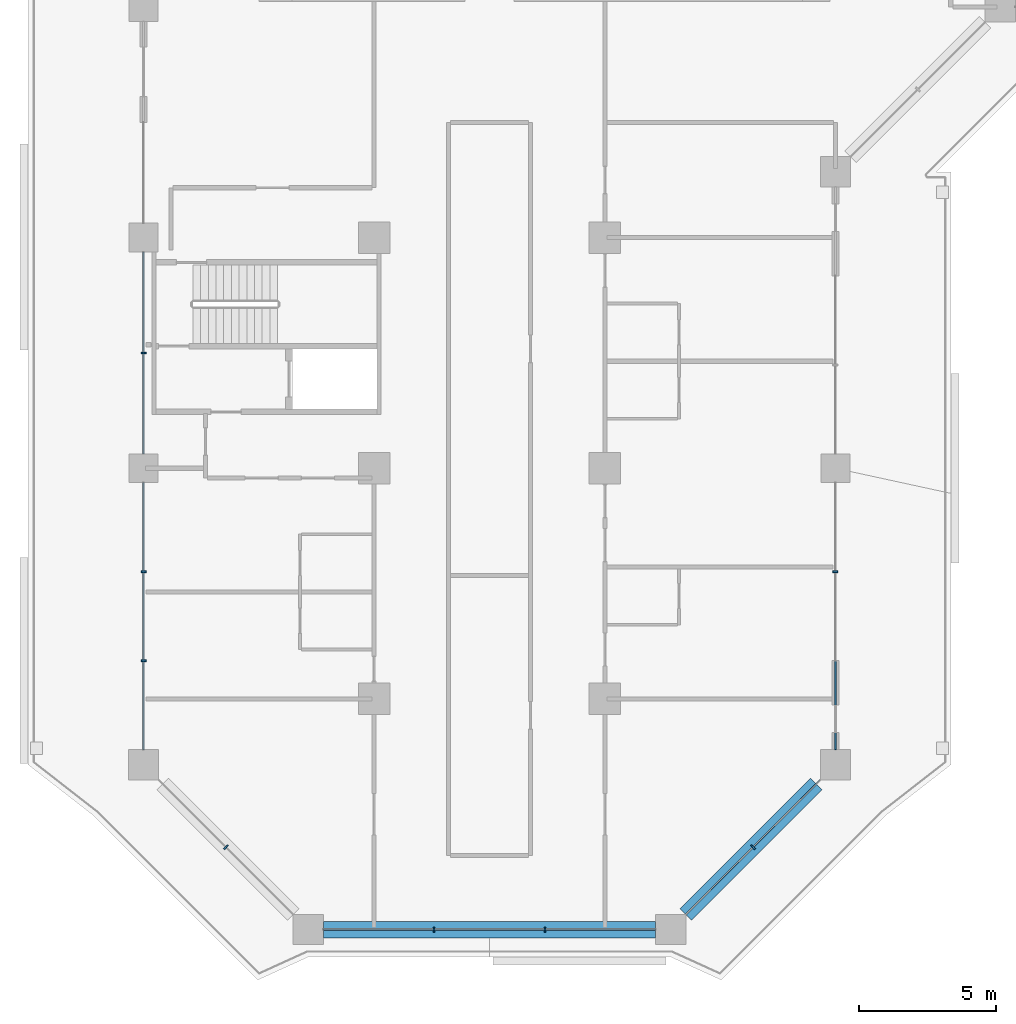
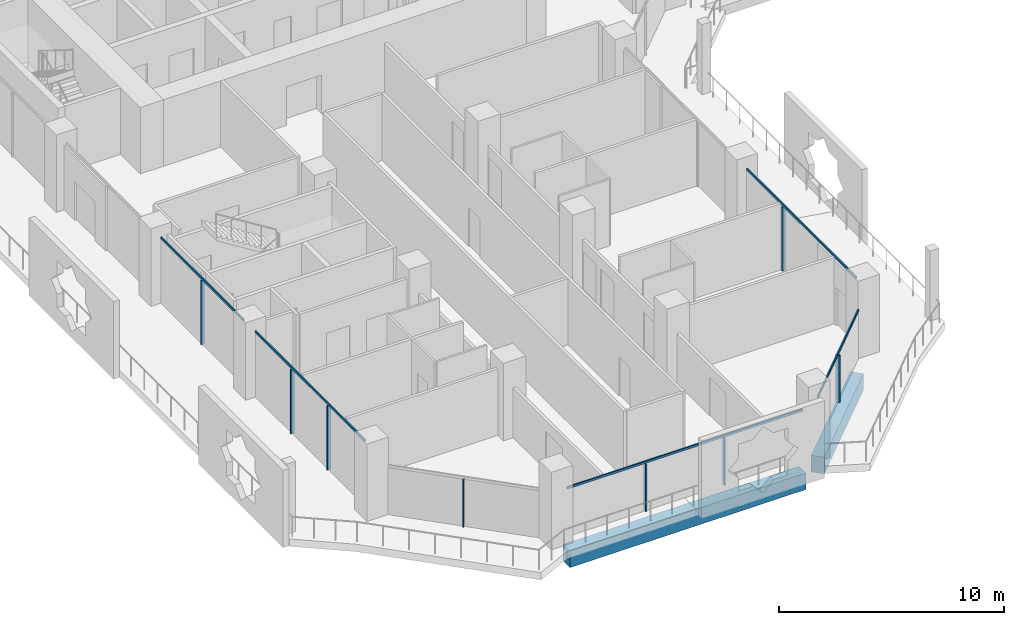
# One storey, part 2 of 25: 13 members, 2 beams, 5 elements without a shape of their own.
"""IFC4 building model written with IfcOpenShell, lengths in metres."""

from ifc_helpers import new_model, si_unit, direction, frame, origin, origin_2d, place, context, subcontext, project, spatial, rectangle, extrude, material, layer, layer_set, material_profile, profile_set, type_object, element, aggregate, save


model = new_model("IFC4")

# Units and contexts
model_context = context("Model", 3, precision=1e-05, world=origin(), true_north=direction((0.0, 1.0)))
body_context = subcontext(model_context, "Body", "Model", "MODEL_VIEW")
ifc_project = project(units=[si_unit("LENGTHUNIT", "METRE"), si_unit("AREAUNIT", "SQUARE_METRE"), si_unit("VOLUMEUNIT", "CUBIC_METRE"), si_unit("PLANEANGLEUNIT", "RADIAN"), si_unit("MASSUNIT", "GRAM", prefix="KILO")], contexts=[model_context])

# Site, building, storey
site_placement = place(None, origin())
site = spatial("IfcSite", under=ifc_project, at=site_placement, CompositionType="ELEMENT")
building_placement = place(site_placement, origin())
building = spatial("IfcBuilding", under=site, at=building_placement, Name="Kawkab Arch Medical Tower", CompositionType="ELEMENT")
storey_placement = place(building_placement, frame((0.0, 0.0, 111.39990234375)))
storey = spatial("IfcBuildingStorey", under=building, at=storey_placement, Name="L25", CompositionType="ELEMENT", Elevation=111.39990234375)

# Curtain wall, members
ifc_material_1 = material(Name="Bronze anodised aluminium curtain wall frame", Category="aluminium")
ifc_layer_1 = layer(ifc_material_1, 0.159912109375)
ifc_layer_set_1 = layer_set([ifc_layer_1], Name="Bronze anodised aluminium curtain wall frame")
curtain_wall_type_1 = type_object("IfcCurtainWallType", Name="CW1 ward curtain wall", PredefinedType="NOTDEFINED", material=ifc_layer_set_1)
placement = place(storey_placement, origin())
curtain_wall_1 = element("IfcCurtainWall", 1, at=placement, inside=storey, type_object=curtain_wall_type_1, Name="CW1 Ward curtain wall R01", PredefinedType="NOTDEFINED")
ifc_material_2 = material(Name="Bronze anodised aluminium curtain wall frame", Category="aluminium")
ifc_material_profile_1 = material_profile(ifc_material_2, rectangle(XDim=0.179931640625, YDim=0.06005859375, at=origin_2d()), Name="AL 60x180")
ifc_profile_set_1 = profile_set([ifc_material_profile_1], Name="Bronze anodised aluminium curtain wall frame")
member_type_1 = type_object("IfcMemberType", Name="CW1 mullion 60 x 180", PredefinedType="MULLION", material=ifc_profile_set_1)
member_1_placement = place(storey_placement, frame((0.0, -37.800048828125, 0.0), z_axis=(0.0, 0.0, 1.0), x_axis=(1.0, 0.0, 0.0)))
member_1 = element("IfcMember", 2, at=member_1_placement, type_object=member_type_1, Name="CW1 mullion 5.1", PredefinedType="MULLION", context=body_context, shape_type="SweptSolid", body=[
    extrude(rectangle(XDim=0.179931640625, YDim=0.06005859375, at=origin_2d()), origin(), (0.0, 0.0, 1.0), 3.47998046875),
])
member_2_placement = place(storey_placement, frame((0.0, -45.7666015625, 0.0), z_axis=(0.0, 0.0, 1.0), x_axis=(1.0, 0.0, 0.0)))
member_2 = element("IfcMember", 3, at=member_2_placement, type_object=member_type_1, Name="CW1 mullion 6.1", PredefinedType="MULLION", context=body_context, shape_type="SweptSolid", body=[
    extrude(rectangle(XDim=0.179931640625, YDim=0.06005859375, at=origin_2d()), origin(), (0.0, 0.0, 1.0), 3.47998046875),
])
member_3_placement = place(storey_placement, frame((0.0, -49.00830078125, 0.0), z_axis=(0.0, 0.0, 1.0), x_axis=(1.0, 0.0, 0.0)))
member_3 = element("IfcMember", 4, at=member_3_placement, type_object=member_type_1, Name="CW1 mullion 6.2", PredefinedType="MULLION", context=body_context, shape_type="SweptSolid", body=[
    extrude(rectangle(XDim=0.179931640625, YDim=0.06005859375, at=origin_2d()), origin(), (0.0, 0.0, 1.0), 3.47998046875),
])

curtain_wall_2 = element("IfcCurtainWall", 5, at=placement, inside=storey, type_object=curtain_wall_type_1, Name="CW1 Ward curtain wall R03", PredefinedType="NOTDEFINED")
member_4_placement = place(storey_placement, frame((10.583251953125, -58.800048828125, 0.0), z_axis=(0.0, 0.0, 1.0), x_axis=(0.0, 1.0, 0.0)))
member_4 = element("IfcMember", 6, at=member_4_placement, type_object=member_type_1, Name="CW1 mullion 1.1", PredefinedType="MULLION", context=body_context, shape_type="SweptSolid", body=[
    extrude(rectangle(XDim=0.179931640625, YDim=0.06005859375, at=origin_2d()), origin(), (0.0, 0.0, 1.0), 2.580078125),
])
member_5_placement = place(storey_placement, frame((14.61669921875, -58.800048828125, 0.0), z_axis=(0.0, 0.0, 1.0), x_axis=(0.0, 1.0, 0.0)))
member_5 = element("IfcMember", 7, at=member_5_placement, type_object=member_type_1, Name="CW1 mullion 1.2", PredefinedType="MULLION", context=body_context, shape_type="SweptSolid", body=[
    extrude(rectangle(XDim=0.179931640625, YDim=0.06005859375, at=origin_2d()), origin(), (0.0, 0.0, 1.0), 2.580078125),
])

# Curtain wall, member
curtain_wall_3 = element("IfcCurtainWall", 8, at=placement, inside=storey, type_object=curtain_wall_type_1, Name="CW1 Ward curtain wall R05", PredefinedType="NOTDEFINED")
member_6_placement = place(storey_placement, frame((25.199951171875, -45.7666015625, 0.0), z_axis=(0.0, 0.0, 1.0), x_axis=(-1.0, 0.0, 0.0)))
member_6 = element("IfcMember", 9, at=member_6_placement, type_object=member_type_1, Name="CW1 mullion 1.2", PredefinedType="MULLION", context=body_context, shape_type="SweptSolid", body=[
    extrude(rectangle(XDim=0.179931640625, YDim=0.06005859375, at=origin_2d()), origin(), (0.0, 0.0, 1.0), 3.47998046875),
])

# Member
ifc_material_3 = material(Name="Bronze anodised aluminium curtain wall frame", Category="aluminium")
ifc_material_profile_2 = material_profile(ifc_material_3, rectangle(XDim=0.06005859375, YDim=0.1201171875, at=origin_2d()), Name="AL 60x120")
ifc_profile_set_2 = profile_set([ifc_material_profile_2], Name="Bronze anodised aluminium curtain wall frame")
member_type_2 = type_object("IfcMemberType", Name="CW1 transom 120 x 60", PredefinedType="USERDEFINED", material=ifc_profile_set_2)
member_7_placement = place(storey_placement, frame((0.0, -34.125, 3.5400390625), z_axis=(0.0, -1.0, 0.0), x_axis=(1.0, 0.0, 0.0)))
member_7 = element("IfcMember", 10, at=member_7_placement, type_object=member_type_2, Name="CW1 transom 5", ObjectType="TRANSOM", PredefinedType="USERDEFINED", context=body_context, shape_type="SweptSolid", body=[
    extrude(rectangle(XDim=0.06005859375, YDim=0.1201171875, at=origin_2d()), origin(), (0.0, 0.0, 1.0), 7.35009765625),
])

member_8_placement = place(storey_placement, frame((0.0, -42.52490234375, 3.5400390625), z_axis=(0.0, -1.0, 0.0), x_axis=(1.0, 0.0, 0.0)))
member_8 = element("IfcMember", 11, at=member_8_placement, type_object=member_type_2, Name="CW1 transom 6", ObjectType="TRANSOM", PredefinedType="USERDEFINED", context=body_context, shape_type="SweptSolid", body=[
    extrude(rectangle(XDim=0.06005859375, YDim=0.1201171875, at=origin_2d()), origin(), (0.0, 0.0, 1.0), 9.72509765625),
])

aggregate(curtain_wall_1, [member_7, member_1, member_8, member_2, member_3])

member_9_placement = place(storey_placement, frame((6.550048828125, -58.800048828125, 2.64013671875), z_axis=(1.0, 0.0, 0.0), x_axis=(0.0, 1.0, 0.0)))
member_9 = element("IfcMember", 12, at=member_9_placement, type_object=member_type_2, Name="CW1 transom 1", ObjectType="TRANSOM", PredefinedType="USERDEFINED", context=body_context, shape_type="SweptSolid", body=[
    extrude(rectangle(XDim=0.06005859375, YDim=0.1201171875, at=origin_2d()), origin(), (0.0, 0.0, 1.0), 12.099853515625),
])

aggregate(curtain_wall_2, [member_9, member_4, member_5])

member_10_placement = place(storey_placement, frame((25.199951171875, -52.25, 3.5400390625), z_axis=(0.0, 1.0, 0.0), x_axis=(-1.0, 0.0, 0.0)))
member_10 = element("IfcMember", 13, at=member_10_placement, type_object=member_type_2, Name="CW1 transom 1", ObjectType="TRANSOM", PredefinedType="USERDEFINED", context=body_context, shape_type="SweptSolid", body=[
    extrude(rectangle(XDim=0.06005859375, YDim=0.1201171875, at=origin_2d()), origin(), (0.0, 0.0, 1.0), 9.72509765625),
])

aggregate(curtain_wall_3, [member_10, member_6])

# Curtain wall, member
ifc_material_4 = material(Name="Bronze anodised aluminium curtain wall frame", Category="aluminium")
ifc_layer_2 = layer(ifc_material_4, 0.159912109375)
ifc_layer_set_2 = layer_set([ifc_layer_2], Name="Bronze anodised aluminium curtain wall frame")
curtain_wall_type_2 = type_object("IfcCurtainWallType", Name="CW2 chamfer curtain wall", PredefinedType="NOTDEFINED", material=ifc_layer_set_2)
curtain_wall_4 = element("IfcCurtainWall", 14, at=placement, inside=storey, type_object=curtain_wall_type_2, Name="CW2 Chamfer curtain wall R02", PredefinedType="NOTDEFINED")
ifc_material_5 = material(Name="Bronze anodised aluminium curtain wall frame", Category="aluminium")
ifc_material_profile_3 = material_profile(ifc_material_5, rectangle(XDim=0.199951171875, YDim=0.06005859375, at=origin_2d()), Name="AL 60x200")
ifc_profile_set_3 = profile_set([ifc_material_profile_3], Name="Bronze anodised aluminium curtain wall frame")
member_type_3 = type_object("IfcMemberType", Name="CW2 mullion 60 x 200", PredefinedType="MULLION", material=ifc_profile_set_3)
member_11_placement = place(storey_placement, frame((3.0, -55.800048828125, 0.0), z_axis=(0.0, 0.0, 1.0), x_axis=(0.707106781187, 0.707106781187, 0.0)))
member_11 = element("IfcMember", 15, at=member_11_placement, type_object=member_type_3, Name="CW2 mullion 1.1", PredefinedType="MULLION", context=body_context, shape_type="SweptSolid", body=[
    extrude(rectangle(XDim=0.199951171875, YDim=0.06005859375, at=origin_2d()), origin(), (0.0, 0.0, 1.0), 2.56005859375),
])
aggregate(curtain_wall_4, [member_11])

# Curtain wall, members
curtain_wall_5 = element("IfcCurtainWall", 16, at=placement, inside=storey, type_object=curtain_wall_type_2, Name="CW2 Chamfer curtain wall R04", PredefinedType="NOTDEFINED")
member_12_placement = place(storey_placement, frame((22.199951171875, -55.800048828125, 0.0), z_axis=(0.0, 0.0, 1.0), x_axis=(-0.707106781187, 0.707106781187, 0.0)))
member_12 = element("IfcMember", 17, at=member_12_placement, type_object=member_type_3, Name="CW2 mullion 1.1", PredefinedType="MULLION", context=body_context, shape_type="SweptSolid", body=[
    extrude(rectangle(XDim=0.199951171875, YDim=0.06005859375, at=origin_2d()), origin(), (0.0, 0.0, 1.0), 2.56005859375),
])
ifc_material_6 = material(Name="Bronze anodised aluminium curtain wall frame", Category="aluminium")
ifc_material_profile_4 = material_profile(ifc_material_6, rectangle(XDim=0.06005859375, YDim=0.139892578125, at=origin_2d()), Name="AL 60x140")
ifc_profile_set_4 = profile_set([ifc_material_profile_4], Name="Bronze anodised aluminium curtain wall frame")
member_type_4 = type_object("IfcMemberType", Name="CW2 transom 140 x 60", PredefinedType="USERDEFINED", material=ifc_profile_set_4)
member_13_placement = place(storey_placement, frame((19.75, -58.25, 2.630126953125), z_axis=(0.707106781187, 0.707106781187, 0.0), x_axis=(-0.707106781187, 0.707106781187, 0.0)))
member_13 = element("IfcMember", 18, at=member_13_placement, type_object=member_type_4, Name="CW2 transom 1", ObjectType="TRANSOM", PredefinedType="USERDEFINED", context=body_context, shape_type="SweptSolid", body=[
    extrude(rectangle(XDim=0.06005859375, YDim=0.139892578125, at=origin_2d()), origin(), (0.0, 0.0, 1.0), 6.929443359375),
])
aggregate(curtain_wall_5, [member_13, member_12])

# Beams
ifc_material_7 = material(Name="Concrete C55/67", Category="concrete")
ifc_material_profile_5 = material_profile(ifc_material_7, rectangle(XDim=0.60009765625, YDim=0.89990234375, at=origin_2d()), Name="RC 600x900")
ifc_profile_set_5 = profile_set([ifc_material_profile_5], Name="Concrete C55/67")
beam_type = type_object("IfcBeamType", Name="RC 600x900 beam C55/67", PredefinedType="BEAM", material=ifc_profile_set_5)
beam_1_placement = place(storey_placement, frame((24.5, -53.5, -1.0498046875), z_axis=(-0.707106781187, -0.707106781187, 0.0), x_axis=(0.707106781187, -0.707106781187, 0.0)))
element("IfcBeam", 19, at=beam_1_placement, inside=storey, type_object=beam_type, Name="Overhang edge beam L25-05", PredefinedType="BEAM", context=body_context, shape_type="SweptSolid", body=[
    extrude(rectangle(XDim=0.60009765625, YDim=0.89990234375, at=origin_2d()), origin(), (0.0, 0.0, 1.0), 6.717529296875),
])
beam_2_placement = place(storey_placement, frame((18.64990234375, -58.800048828125, -1.0498046875), z_axis=(-1.0, 0.0, 0.0), x_axis=(0.0, -1.0, 0.0)))
element("IfcBeam", 20, at=beam_2_placement, inside=storey, type_object=beam_type, Name="Overhang edge beam L25-06", PredefinedType="BEAM", context=body_context, shape_type="SweptSolid", body=[
    extrude(rectangle(XDim=0.60009765625, YDim=0.89990234375, at=origin_2d()), origin(), (0.0, 0.0, 1.0), 12.099853515625),
])

save(model, "model.ifc")
